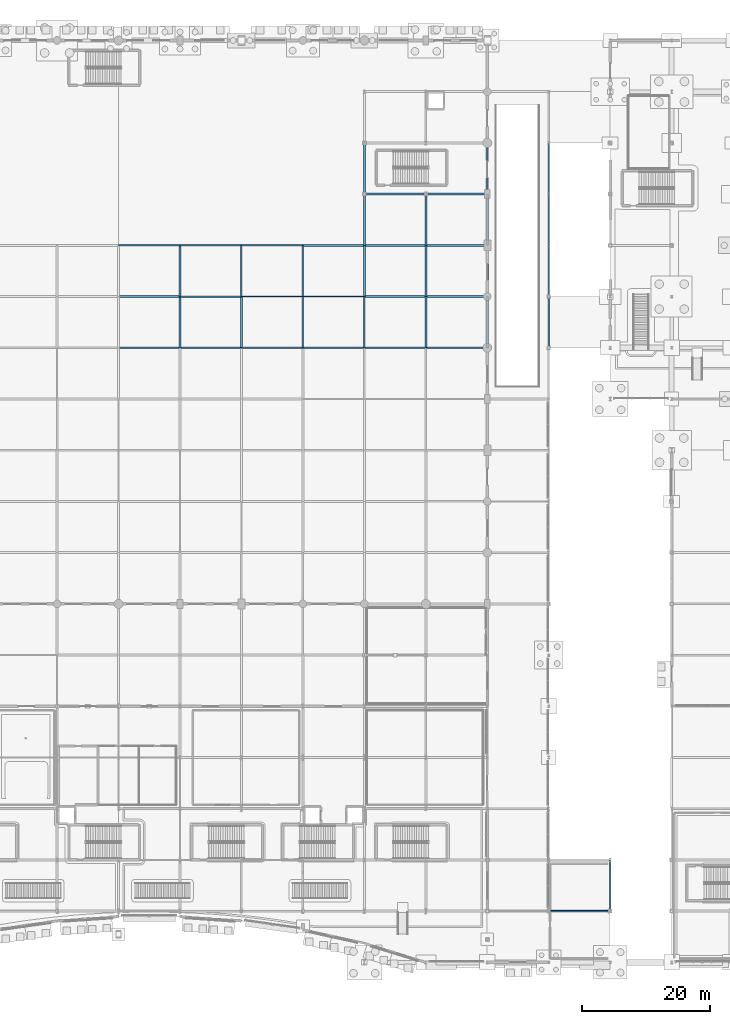
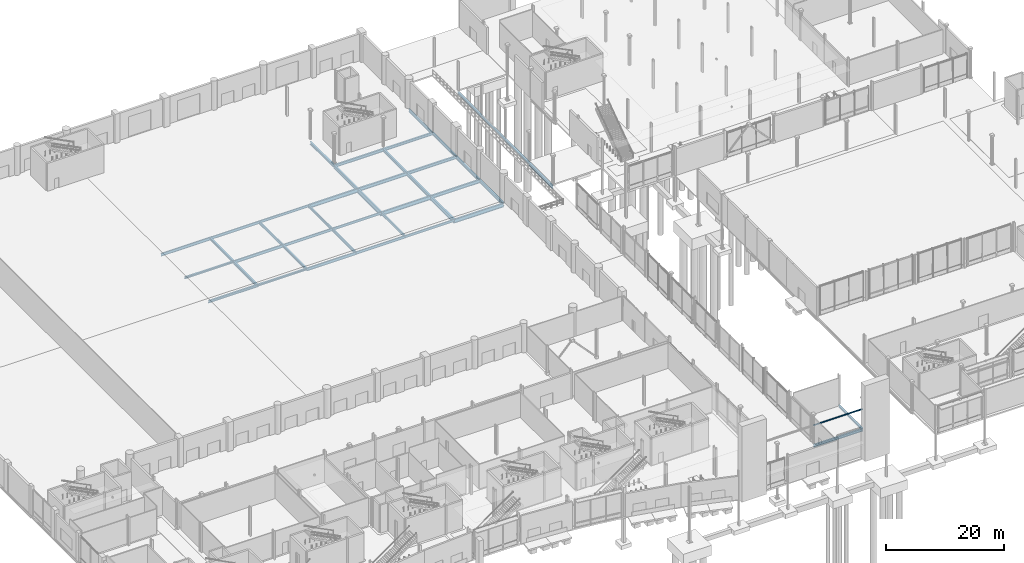
# One storey, part 52 of 124: 44 beams.
"""IFC4 building model written with IfcOpenShell, lengths in metres."""

from ifc_helpers import new_model, si_unit, direction, frame, origin, origin_2d, place, context, subcontext, project, spatial, hollow_rectangle, i_section, extrude, material, material_profile, profile_set, type_object, element, save


model = new_model("IFC4")

# Units and contexts
model_context = context("Model", 3, precision=1e-05, world=origin(), true_north=direction((0.0, 1.0)))
body_context = subcontext(model_context, "Body", "Model", "MODEL_VIEW")
ifc_project = project(units=[si_unit("LENGTHUNIT", "METRE"), si_unit("AREAUNIT", "SQUARE_METRE"), si_unit("VOLUMEUNIT", "CUBIC_METRE"), si_unit("PLANEANGLEUNIT", "RADIAN"), si_unit("MASSUNIT", "GRAM", prefix="KILO")], contexts=[model_context])

# Site, building, storey
site_placement = place(None, origin())
site = spatial("IfcSite", under=ifc_project, at=site_placement, CompositionType="ELEMENT")
building_placement = place(site_placement, origin())
building = spatial("IfcBuilding", under=site, at=building_placement, Name="Danafjord Basin Convention Centre", CompositionType="ELEMENT")
storey_placement = place(building_placement, origin())
storey = spatial("IfcBuildingStorey", under=building, at=storey_placement, Name="L00", CompositionType="ELEMENT", Elevation=0.0)

# Beams
ifc_material = material(Name="Steel S355", Category="steel")
ifc_material_profile_1 = material_profile(ifc_material, i_section(OverallWidth=0.300048828125, OverallDepth=0.389892578125, WebThickness=0.010986328125, FlangeThickness=0.01904296875, FilletRadius=0.027099609375, at=origin_2d()), Name="HEA 400")
ifc_profile_set_1 = profile_set([ifc_material_profile_1], Name="Steel S355")
beam_type_1 = type_object("IfcBeamType", Name="BEAM-BM-HEA400", PredefinedType="BEAM", material=ifc_profile_set_1)
beam_1_placement = place(storey_placement, frame((57.60009765625, 104.0, -0.614990234375), z_axis=(1.0, 0.0, 0.0), x_axis=(0.0, 1.0, 0.0)))
element("IfcBeam", 1, at=beam_1_placement, inside=storey, type_object=beam_type_1, Name="L00 girder BM-HEA400", PredefinedType="BEAM", context=body_context, shape_type="SweptSolid", body=[
    extrude(i_section(OverallWidth=0.300048828125, OverallDepth=0.389892578125, WebThickness=0.010986328125, FlangeThickness=0.01904296875, FilletRadius=0.027099609375, at=origin_2d()), origin(), (0.0, 0.0, 1.0), 9.599853515625),
])
beam_2_placement = place(storey_placement, frame((67.199951171875, 96.0, -0.64501953125), z_axis=(1.0, 0.0, 0.0), x_axis=(0.0, 1.0, 0.0)))
element("IfcBeam", 2, at=beam_2_placement, inside=storey, type_object=beam_type_1, Name="L00 girder BM-HEA400", PredefinedType="BEAM", context=body_context, shape_type="SweptSolid", body=[
    extrude(i_section(OverallWidth=0.300048828125, OverallDepth=0.389892578125, WebThickness=0.010986328125, FlangeThickness=0.01904296875, FilletRadius=0.027099609375, at=origin_2d()), origin(), (0.0, 0.0, 1.0), 9.60009765625),
])
ifc_material_profile_2 = material_profile(ifc_material, i_section(OverallWidth=0.300048828125, OverallDepth=0.489990234375, WebThickness=0.011962890625, FlangeThickness=0.02294921875, FilletRadius=0.027099609375, at=origin_2d()), Name="HEA 500")
ifc_profile_set_2 = profile_set([ifc_material_profile_2], Name="Steel S355")
beam_type_2 = type_object("IfcBeamType", Name="BEAM-BM-HEA500", PredefinedType="BEAM", material=ifc_profile_set_2)
beam_3_placement = place(storey_placement, frame((57.60009765625, 96.0, -0.695068359375), z_axis=(1.0, 0.0, 0.0), x_axis=(0.0, 1.0, 0.0)))
element("IfcBeam", 3, at=beam_3_placement, inside=storey, type_object=beam_type_2, Name="L00 girder BM-HEA500", PredefinedType="BEAM", context=body_context, shape_type="SweptSolid", body=[
    extrude(i_section(OverallWidth=0.300048828125, OverallDepth=0.489990234375, WebThickness=0.011962890625, FlangeThickness=0.02294921875, FilletRadius=0.027099609375, at=origin_2d()), origin(), (0.0, 0.0, 1.0), 9.599853515625),
])
ifc_material_profile_3 = material_profile(ifc_material, i_section(OverallWidth=0.300048828125, OverallDepth=0.5, WebThickness=0.014404296875, FlangeThickness=0.028076171875, FilletRadius=0.027099609375, at=origin_2d()), Name="HEB 500")
ifc_profile_set_3 = profile_set([ifc_material_profile_3], Name="Steel S355")
beam_type_3 = type_object("IfcBeamType", Name="BEAM-BM-HEB500", PredefinedType="BEAM", material=ifc_profile_set_3)
for number, where, z_axis, x_axis, name in (
    (4, (67.199951171875, 104.0, -0.669921875), (0.0, 1.0, 0.0), (-1.0, 0.0, 0.0), "L00 transverse girder BM-HEB500"),
    (5, (76.800048828125, 96.0, -0.669921875), (0.0, 1.0, 0.0), (-1.0, 0.0, 0.0), "L00 transverse girder BM-HEB500"),
    (6, (115.199951171875, 112.0, -0.669921875), (0.0, 1.0, 0.0), (-1.0, 0.0, 0.0), "L00 transverse girder BM-HEB500"),
):
    element("IfcBeam", number, at=place(storey_placement, frame(where, z_axis=z_axis, x_axis=x_axis)), inside=storey, type_object=beam_type_3, Name=name, PredefinedType="BEAM", context=body_context, shape_type="SweptSolid", body=[
        extrude(i_section(OverallWidth=0.300048828125, OverallDepth=0.5, WebThickness=0.014404296875, FlangeThickness=0.028076171875, FilletRadius=0.027099609375, at=origin_2d()), origin(), (0.0, 0.0, 1.0), 8.0),
    ])
ifc_material_profile_4 = material_profile(ifc_material, i_section(OverallWidth=0.300048828125, OverallDepth=0.550048828125, WebThickness=0.014892578125, FlangeThickness=0.029052734375, FilletRadius=0.027099609375, at=origin_2d()), Name="HEB 550")
ifc_profile_set_4 = profile_set([ifc_material_profile_4], Name="Steel S355")
beam_type_4 = type_object("IfcBeamType", Name="BEAM-BM-HEB550", PredefinedType="BEAM", material=ifc_profile_set_4)
for number, where, z_axis, x_axis, name in (
    (7, (105.60009765625, 120.0, -0.695068359375), (1.0, 0.0, 0.0), (0.0, 1.0, 0.0), "L00 girder BM-HEB550"),
    (8, (124.800048828125, 8.0, -0.56494140625), (1.0, 0.0, 0.0), (0.0, 1.0, 0.0), "L00 girder BM-HEB550"),
):
    element("IfcBeam", number, at=place(storey_placement, frame(where, z_axis=z_axis, x_axis=x_axis)), inside=storey, type_object=beam_type_4, Name=name, PredefinedType="BEAM", context=body_context, shape_type="SweptSolid", body=[
        extrude(i_section(OverallWidth=0.300048828125, OverallDepth=0.550048828125, WebThickness=0.014892578125, FlangeThickness=0.029052734375, FilletRadius=0.027099609375, at=origin_2d()), origin(), (0.0, 0.0, 1.0), 9.599853515625),
    ])
ifc_material_profile_5 = material_profile(ifc_material, i_section(OverallWidth=0.300048828125, OverallDepth=0.60009765625, WebThickness=0.015380859375, FlangeThickness=0.030029296875, FilletRadius=0.027099609375, at=origin_2d()), Name="HEB 600")
ifc_profile_set_5 = profile_set([ifc_material_profile_5], Name="Steel S355")
beam_type_5 = type_object("IfcBeamType", Name="BEAM-BM-HEB600", PredefinedType="BEAM", material=ifc_profile_set_5)
beam_4_placement = place(storey_placement, frame((96.0, 120.0, -0.719970703125), z_axis=(1.0, 0.0, 0.0), x_axis=(0.0, 1.0, 0.0)))
element("IfcBeam", 9, at=beam_4_placement, inside=storey, type_object=beam_type_5, Name="L00 girder BM-HEB600", PredefinedType="BEAM", context=body_context, shape_type="SweptSolid", body=[
    extrude(i_section(OverallWidth=0.300048828125, OverallDepth=0.60009765625, WebThickness=0.015380859375, FlangeThickness=0.030029296875, FilletRadius=0.027099609375, at=origin_2d()), origin(), (0.0, 0.0, 1.0), 9.60009765625),
])
beam_5_placement = place(storey_placement, frame((105.60009765625, 112.0, -0.719970703125), z_axis=(1.0, 0.0, 0.0), x_axis=(0.0, 1.0, 0.0)))
element("IfcBeam", 10, at=beam_5_placement, inside=storey, type_object=beam_type_5, Name="L00 girder BM-HEB600", PredefinedType="BEAM", context=body_context, shape_type="SweptSolid", body=[
    extrude(i_section(OverallWidth=0.300048828125, OverallDepth=0.60009765625, WebThickness=0.015380859375, FlangeThickness=0.030029296875, FilletRadius=0.027099609375, at=origin_2d()), origin(), (0.0, 0.0, 1.0), 9.599853515625),
])
for number, where, z_axis, x_axis, name in (
    (11, (67.199951171875, 96.0, -0.719970703125), (0.0, 1.0, 0.0), (-1.0, 0.0, 0.0), "L00 transverse girder BM-HEB600"),
    (12, (96.0, 120.0, -0.719970703125), (0.0, 1.0, 0.0), (-1.0, 0.0, 0.0), "L00 transverse girder BM-HEB600"),
    (13, (105.60009765625, 112.0, -0.719970703125), (0.0, 1.0, 0.0), (-1.0, 0.0, 0.0), "L00 transverse girder BM-HEB600"),
    (14, (115.199951171875, 104.0, -0.719970703125), (0.0, 1.0, 0.0), (-1.0, 0.0, 0.0), "L00 transverse girder BM-HEB600"),
    (15, (124.800048828125, 96.0, -0.590087890625), (0.0, 1.0, 0.0), (-1.0, 0.0, 0.0), "L00 transverse girder BM-HEB600"),
):
    element("IfcBeam", number, at=place(storey_placement, frame(where, z_axis=z_axis, x_axis=x_axis)), inside=storey, type_object=beam_type_5, Name=name, PredefinedType="BEAM", context=body_context, shape_type="SweptSolid", body=[
        extrude(i_section(OverallWidth=0.300048828125, OverallDepth=0.60009765625, WebThickness=0.015380859375, FlangeThickness=0.030029296875, FilletRadius=0.027099609375, at=origin_2d()), origin(), (0.0, 0.0, 1.0), 8.0),
    ])
ifc_material_profile_6 = material_profile(ifc_material, i_section(OverallWidth=0.300048828125, OverallDepth=0.699951171875, WebThickness=0.01708984375, FlangeThickness=0.031982421875, FilletRadius=0.027099609375, at=origin_2d()), Name="HEB 700")
ifc_profile_set_6 = profile_set([ifc_material_profile_6], Name="Steel S355")
beam_type_6 = type_object("IfcBeamType", Name="BEAM-BM-HEB700", PredefinedType="BEAM", material=ifc_profile_set_6)
beam_6_placement = place(storey_placement, frame((96.0, 112.0, -0.77001953125), z_axis=(1.0, 0.0, 0.0), x_axis=(0.0, 1.0, 0.0)))
element("IfcBeam", 16, at=beam_6_placement, inside=storey, type_object=beam_type_6, Name="L00 girder BM-HEB700", PredefinedType="BEAM", context=body_context, shape_type="SweptSolid", body=[
    extrude(i_section(OverallWidth=0.300048828125, OverallDepth=0.699951171875, WebThickness=0.01708984375, FlangeThickness=0.031982421875, FilletRadius=0.027099609375, at=origin_2d()), origin(), (0.0, 0.0, 1.0), 9.60009765625),
])
beam_7_placement = place(storey_placement, frame((105.60009765625, 104.0, -0.77001953125), z_axis=(1.0, 0.0, 0.0), x_axis=(0.0, 1.0, 0.0)))
element("IfcBeam", 17, at=beam_7_placement, inside=storey, type_object=beam_type_6, Name="L00 girder BM-HEB700", PredefinedType="BEAM", context=body_context, shape_type="SweptSolid", body=[
    extrude(i_section(OverallWidth=0.300048828125, OverallDepth=0.699951171875, WebThickness=0.01708984375, FlangeThickness=0.031982421875, FilletRadius=0.027099609375, at=origin_2d()), origin(), (0.0, 0.0, 1.0), 9.599853515625),
])
for number, where, z_axis, x_axis, name in (
    (18, (96.0, 112.0, -0.77001953125), (0.0, 1.0, 0.0), (-1.0, 0.0, 0.0), "L00 transverse girder BM-HEB700"),
    (19, (105.60009765625, 104.0, -0.77001953125), (0.0, 1.0, 0.0), (-1.0, 0.0, 0.0), "L00 transverse girder BM-HEB700"),
    (20, (115.199951171875, 96.0, -0.77001953125), (0.0, 1.0, 0.0), (-1.0, 0.0, 0.0), "L00 transverse girder BM-HEB700"),
):
    element("IfcBeam", number, at=place(storey_placement, frame(where, z_axis=z_axis, x_axis=x_axis)), inside=storey, type_object=beam_type_6, Name=name, PredefinedType="BEAM", context=body_context, shape_type="SweptSolid", body=[
        extrude(i_section(OverallWidth=0.300048828125, OverallDepth=0.699951171875, WebThickness=0.01708984375, FlangeThickness=0.031982421875, FilletRadius=0.027099609375, at=origin_2d()), origin(), (0.0, 0.0, 1.0), 8.0),
    ])
ifc_material_profile_7 = material_profile(ifc_material, i_section(OverallWidth=0.300048828125, OverallDepth=0.800048828125, WebThickness=0.017578125, FlangeThickness=0.032958984375, FilletRadius=0.030029296875, at=origin_2d()), Name="HEB 800")
ifc_profile_set_7 = profile_set([ifc_material_profile_7], Name="Steel S355")
beam_type_7 = type_object("IfcBeamType", Name="BEAM-BM-HEB800", PredefinedType="BEAM", material=ifc_profile_set_7)
for number, where, z_axis, x_axis, name in (
    (21, (86.39990234375, 112.0, -0.820068359375), (1.0, 0.0, 0.0), (0.0, 1.0, 0.0), "L00 girder BM-HEB800"),
    (22, (96.0, 104.0, -0.820068359375), (1.0, 0.0, 0.0), (0.0, 1.0, 0.0), "L00 girder BM-HEB800"),
):
    element("IfcBeam", number, at=place(storey_placement, frame(where, z_axis=z_axis, x_axis=x_axis)), inside=storey, type_object=beam_type_7, Name=name, PredefinedType="BEAM", context=body_context, shape_type="SweptSolid", body=[
        extrude(i_section(OverallWidth=0.300048828125, OverallDepth=0.800048828125, WebThickness=0.017578125, FlangeThickness=0.032958984375, FilletRadius=0.030029296875, at=origin_2d()), origin(), (0.0, 0.0, 1.0), 9.60009765625),
    ])
beam_8_placement = place(storey_placement, frame((105.60009765625, 96.0, -0.85009765625), z_axis=(1.0, 0.0, 0.0), x_axis=(0.0, 1.0, 0.0)))
element("IfcBeam", 23, at=beam_8_placement, inside=storey, type_object=beam_type_7, Name="L00 girder BM-HEB800", PredefinedType="BEAM", context=body_context, shape_type="SweptSolid", body=[
    extrude(i_section(OverallWidth=0.300048828125, OverallDepth=0.800048828125, WebThickness=0.017578125, FlangeThickness=0.032958984375, FilletRadius=0.030029296875, at=origin_2d()), origin(), (0.0, 0.0, 1.0), 9.599853515625),
])
ifc_material_profile_8 = material_profile(ifc_material, i_section(OverallWidth=0.300048828125, OverallDepth=0.89990234375, WebThickness=0.0185546875, FlangeThickness=0.034912109375, FilletRadius=0.030029296875, at=origin_2d()), Name="HEB 900")
ifc_profile_set_8 = profile_set([ifc_material_profile_8], Name="Steel S355")
beam_type_8 = type_object("IfcBeamType", Name="BEAM-BM-HEB900", PredefinedType="BEAM", material=ifc_profile_set_8)
for number, where, z_axis, x_axis, name in (
    (24, (96.0, 104.0, -0.8701171875), (0.0, 1.0, 0.0), (-1.0, 0.0, 0.0), "L00 transverse girder BM-HEB900"),
    (25, (105.60009765625, 96.0, -0.8701171875), (0.0, 1.0, 0.0), (-1.0, 0.0, 0.0), "L00 transverse girder BM-HEB900"),
):
    element("IfcBeam", number, at=place(storey_placement, frame(where, z_axis=z_axis, x_axis=x_axis)), inside=storey, type_object=beam_type_8, Name=name, PredefinedType="BEAM", context=body_context, shape_type="SweptSolid", body=[
        extrude(i_section(OverallWidth=0.300048828125, OverallDepth=0.89990234375, WebThickness=0.0185546875, FlangeThickness=0.034912109375, FilletRadius=0.030029296875, at=origin_2d()), origin(), (0.0, 0.0, 1.0), 8.0),
    ])
ifc_material_profile_9 = material_profile(ifc_material, i_section(OverallWidth=0.199951171875, OverallDepth=0.5, WebThickness=0.01025390625, FlangeThickness=0.01611328125, FilletRadius=0.02099609375, at=origin_2d()), Name="IPE 500")
ifc_profile_set_9 = profile_set([ifc_material_profile_9], Name="Steel S355")
beam_type_9 = type_object("IfcBeamType", Name="BEAM-BM-IPE500", PredefinedType="BEAM", material=ifc_profile_set_9)
beam_9_placement = place(storey_placement, frame((76.800048828125, 112.0, -0.669921875), z_axis=(1.0, 0.0, 0.0), x_axis=(0.0, 1.0, 0.0)))
element("IfcBeam", 26, at=beam_9_placement, inside=storey, type_object=beam_type_9, Name="L00 girder BM-IPE500", PredefinedType="BEAM", context=body_context, shape_type="SweptSolid", body=[
    extrude(i_section(OverallWidth=0.199951171875, OverallDepth=0.5, WebThickness=0.01025390625, FlangeThickness=0.01611328125, FilletRadius=0.02099609375, at=origin_2d()), origin(), (0.0, 0.0, 1.0), 9.599853515625),
])
for number, where, z_axis, x_axis, name in (
    (27, (86.39990234375, 104.0, -0.669921875), (1.0, 0.0, 0.0), (0.0, 1.0, 0.0), "L00 girder BM-IPE500"),
    (28, (96.0, 96.0, -0.699951171875), (1.0, 0.0, 0.0), (0.0, 1.0, 0.0), "L00 girder BM-IPE500"),
):
    element("IfcBeam", number, at=place(storey_placement, frame(where, z_axis=z_axis, x_axis=x_axis)), inside=storey, type_object=beam_type_9, Name=name, PredefinedType="BEAM", context=body_context, shape_type="SweptSolid", body=[
        extrude(i_section(OverallWidth=0.199951171875, OverallDepth=0.5, WebThickness=0.01025390625, FlangeThickness=0.01611328125, FilletRadius=0.02099609375, at=origin_2d()), origin(), (0.0, 0.0, 1.0), 9.60009765625),
    ])
ifc_material_profile_10 = material_profile(ifc_material, i_section(OverallWidth=0.2099609375, OverallDepth=0.550048828125, WebThickness=0.010986328125, FlangeThickness=0.01708984375, FilletRadius=0.02392578125, at=origin_2d()), Name="IPE 550")
ifc_profile_set_10 = profile_set([ifc_material_profile_10], Name="Steel S355")
beam_type_10 = type_object("IfcBeamType", Name="BEAM-BM-IPE550", PredefinedType="BEAM", material=ifc_profile_set_10)
beam_10_placement = place(storey_placement, frame((67.199951171875, 112.0, -0.695068359375), z_axis=(1.0, 0.0, 0.0), x_axis=(0.0, 1.0, 0.0)))
element("IfcBeam", 29, at=beam_10_placement, inside=storey, type_object=beam_type_10, Name="L00 girder BM-IPE550", PredefinedType="BEAM", context=body_context, shape_type="SweptSolid", body=[
    extrude(i_section(OverallWidth=0.2099609375, OverallDepth=0.550048828125, WebThickness=0.010986328125, FlangeThickness=0.01708984375, FilletRadius=0.02392578125, at=origin_2d()), origin(), (0.0, 0.0, 1.0), 9.60009765625),
])
beam_11_placement = place(storey_placement, frame((76.800048828125, 104.0, -0.695068359375), z_axis=(1.0, 0.0, 0.0), x_axis=(0.0, 1.0, 0.0)))
element("IfcBeam", 30, at=beam_11_placement, inside=storey, type_object=beam_type_10, Name="L00 girder BM-IPE550", PredefinedType="BEAM", context=body_context, shape_type="SweptSolid", body=[
    extrude(i_section(OverallWidth=0.2099609375, OverallDepth=0.550048828125, WebThickness=0.010986328125, FlangeThickness=0.01708984375, FilletRadius=0.02392578125, at=origin_2d()), origin(), (0.0, 0.0, 1.0), 9.599853515625),
])
beam_12_placement = place(storey_placement, frame((86.39990234375, 96.0, -0.72509765625), z_axis=(1.0, 0.0, 0.0), x_axis=(0.0, 1.0, 0.0)))
element("IfcBeam", 31, at=beam_12_placement, inside=storey, type_object=beam_type_10, Name="L00 girder BM-IPE550", PredefinedType="BEAM", context=body_context, shape_type="SweptSolid", body=[
    extrude(i_section(OverallWidth=0.2099609375, OverallDepth=0.550048828125, WebThickness=0.010986328125, FlangeThickness=0.01708984375, FilletRadius=0.02392578125, at=origin_2d()), origin(), (0.0, 0.0, 1.0), 9.60009765625),
])
for number, where, z_axis, x_axis, name in (
    (32, (86.39990234375, 104.0, -0.695068359375), (0.0, 1.0, 0.0), (-1.0, 0.0, 0.0), "L00 transverse girder BM-IPE550"),
    (33, (96.0, 96.0, -0.695068359375), (0.0, 1.0, 0.0), (-1.0, 0.0, 0.0), "L00 transverse girder BM-IPE550"),
):
    element("IfcBeam", number, at=place(storey_placement, frame(where, z_axis=z_axis, x_axis=x_axis)), inside=storey, type_object=beam_type_10, Name=name, PredefinedType="BEAM", context=body_context, shape_type="SweptSolid", body=[
        extrude(i_section(OverallWidth=0.2099609375, OverallDepth=0.550048828125, WebThickness=0.010986328125, FlangeThickness=0.01708984375, FilletRadius=0.02392578125, at=origin_2d()), origin(), (0.0, 0.0, 1.0), 8.0),
    ])
ifc_material_profile_11 = material_profile(ifc_material, i_section(OverallWidth=0.219970703125, OverallDepth=0.60009765625, WebThickness=0.011962890625, FlangeThickness=0.01904296875, FilletRadius=0.02392578125, at=origin_2d()), Name="IPE 600")
ifc_profile_set_11 = profile_set([ifc_material_profile_11], Name="Steel S355")
beam_type_11 = type_object("IfcBeamType", Name="BEAM-BM-IPE600", PredefinedType="BEAM", material=ifc_profile_set_11)
beam_13_placement = place(storey_placement, frame((57.60009765625, 112.0, -0.719970703125), z_axis=(1.0, 0.0, 0.0), x_axis=(0.0, 1.0, 0.0)))
element("IfcBeam", 34, at=beam_13_placement, inside=storey, type_object=beam_type_11, Name="L00 girder BM-IPE600", PredefinedType="BEAM", context=body_context, shape_type="SweptSolid", body=[
    extrude(i_section(OverallWidth=0.219970703125, OverallDepth=0.60009765625, WebThickness=0.011962890625, FlangeThickness=0.01904296875, FilletRadius=0.02392578125, at=origin_2d()), origin(), (0.0, 0.0, 1.0), 9.599853515625),
])
beam_14_placement = place(storey_placement, frame((67.199951171875, 104.0, -0.719970703125), z_axis=(1.0, 0.0, 0.0), x_axis=(0.0, 1.0, 0.0)))
element("IfcBeam", 35, at=beam_14_placement, inside=storey, type_object=beam_type_11, Name="L00 girder BM-IPE600", PredefinedType="BEAM", context=body_context, shape_type="SweptSolid", body=[
    extrude(i_section(OverallWidth=0.219970703125, OverallDepth=0.60009765625, WebThickness=0.011962890625, FlangeThickness=0.01904296875, FilletRadius=0.02392578125, at=origin_2d()), origin(), (0.0, 0.0, 1.0), 9.60009765625),
])
beam_15_placement = place(storey_placement, frame((76.800048828125, 96.0, -0.75), z_axis=(1.0, 0.0, 0.0), x_axis=(0.0, 1.0, 0.0)))
element("IfcBeam", 36, at=beam_15_placement, inside=storey, type_object=beam_type_11, Name="L00 girder BM-IPE600", PredefinedType="BEAM", context=body_context, shape_type="SweptSolid", body=[
    extrude(i_section(OverallWidth=0.219970703125, OverallDepth=0.60009765625, WebThickness=0.011962890625, FlangeThickness=0.01904296875, FilletRadius=0.02392578125, at=origin_2d()), origin(), (0.0, 0.0, 1.0), 9.599853515625),
])
for number, where, z_axis, x_axis, name in (
    (37, (76.800048828125, 104.0, -0.719970703125), (0.0, 1.0, 0.0), (-1.0, 0.0, 0.0), "L00 transverse girder BM-IPE600"),
    (38, (86.39990234375, 96.0, -0.719970703125), (0.0, 1.0, 0.0), (-1.0, 0.0, 0.0), "L00 transverse girder BM-IPE600"),
    (39, (115.199951171875, 120.0, -0.719970703125), (0.0, 1.0, 0.0), (-1.0, 0.0, 0.0), "L00 transverse girder BM-IPE600"),
):
    element("IfcBeam", number, at=place(storey_placement, frame(where, z_axis=z_axis, x_axis=x_axis)), inside=storey, type_object=beam_type_11, Name=name, PredefinedType="BEAM", context=body_context, shape_type="SweptSolid", body=[
        extrude(i_section(OverallWidth=0.219970703125, OverallDepth=0.60009765625, WebThickness=0.011962890625, FlangeThickness=0.01904296875, FilletRadius=0.02392578125, at=origin_2d()), origin(), (0.0, 0.0, 1.0), 8.0),
    ])
ifc_material_profile_12 = material_profile(ifc_material, hollow_rectangle(XDim=0.14990234375, YDim=0.25, WallThickness=0.010009765625, InnerFilletRadius=0.014892578125, OuterFilletRadius=0.02490234375, at=origin_2d()), Name="RHS 250x150x10.0")
ifc_profile_set_12 = profile_set([ifc_material_profile_12], Name="Steel S355")
beam_type_12 = type_object("IfcBeamType", Name="BEAM-LN-RHS250", PredefinedType="LINTEL", material=ifc_profile_set_12)
beam_16_placement = place(storey_placement, frame((124.800048828125, 8.0, 3.675048828125), z_axis=(1.0, 0.0, 0.0), x_axis=(0.0, 1.0, 0.0)))
element("IfcBeam", 40, at=beam_16_placement, inside=storey, type_object=beam_type_12, Name="L00 structural portal lintel LN-RHS250", PredefinedType="LINTEL", context=body_context, shape_type="SweptSolid", body=[
    extrude(hollow_rectangle(XDim=0.14990234375, YDim=0.25, WallThickness=0.010009765625, InnerFilletRadius=0.014892578125, OuterFilletRadius=0.02490234375, at=origin_2d()), origin(), (0.0, 0.0, 1.0), 9.599853515625),
])
ifc_material_profile_13 = material_profile(ifc_material, i_section(OverallWidth=0.300048828125, OverallDepth=0.39990234375, WebThickness=0.013427734375, FlangeThickness=0.02392578125, FilletRadius=0.027099609375, at=origin_2d()), Name="HEB 400")
ifc_profile_set_13 = profile_set([ifc_material_profile_13], Name="Steel S355")
beam_type_13 = type_object("IfcBeamType", Name="BEAM-SP-HEB400", PredefinedType="SPANDREL", material=ifc_profile_set_13)
for number, where, z_axis, x_axis, name in (
    (41, (124.800048828125, 104.0, -0.489990234375), (0.0, 1.0, 0.0), (-1.0, 0.0, 0.0), "L00 transverse girder SP-HEB400"),
    (42, (124.800048828125, 120.0, -0.489990234375), (0.0, 1.0, 0.0), (-1.0, 0.0, 0.0), "L00 transverse girder SP-HEB400"),
):
    element("IfcBeam", number, at=place(storey_placement, frame(where, z_axis=z_axis, x_axis=x_axis)), inside=storey, type_object=beam_type_13, Name=name, PredefinedType="SPANDREL", context=body_context, shape_type="SweptSolid", body=[
        extrude(i_section(OverallWidth=0.300048828125, OverallDepth=0.39990234375, WebThickness=0.013427734375, FlangeThickness=0.02392578125, FilletRadius=0.027099609375, at=origin_2d()), origin(), (0.0, 0.0, 1.0), 8.0),
    ])
ifc_material_profile_14 = material_profile(ifc_material, i_section(OverallWidth=0.300048828125, OverallDepth=0.449951171875, WebThickness=0.013916015625, FlangeThickness=0.02587890625, FilletRadius=0.027099609375, at=origin_2d()), Name="HEB 450")
ifc_profile_set_14 = profile_set([ifc_material_profile_14], Name="Steel S355")
beam_type_14 = type_object("IfcBeamType", Name="BEAM-SP-HEB450", PredefinedType="SPANDREL", material=ifc_profile_set_14)
beam_17_placement = place(storey_placement, frame((134.39990234375, 8.0, -0.514892578125), z_axis=(0.0, 1.0, 0.0), x_axis=(-1.0, 0.0, 0.0)))
element("IfcBeam", 43, at=beam_17_placement, inside=storey, type_object=beam_type_14, Name="L00 transverse girder SP-HEB450", PredefinedType="SPANDREL", context=body_context, shape_type="SweptSolid", body=[
    extrude(i_section(OverallWidth=0.300048828125, OverallDepth=0.449951171875, WebThickness=0.013916015625, FlangeThickness=0.02587890625, FilletRadius=0.027099609375, at=origin_2d()), origin(), (0.0, 0.0, 1.0), 8.0),
])
ifc_material_profile_15 = material_profile(ifc_material, i_section(OverallWidth=0.18994140625, OverallDepth=0.449951171875, WebThickness=0.009521484375, FlangeThickness=0.0146484375, FilletRadius=0.02099609375, at=origin_2d()), Name="IPE 450")
ifc_profile_set_15 = profile_set([ifc_material_profile_15], Name="Steel S355")
beam_type_15 = type_object("IfcBeamType", Name="BEAM-SP-IPE450", PredefinedType="SPANDREL", material=ifc_profile_set_15)
beam_18_placement = place(storey_placement, frame((124.800048828125, 112.0, -0.514892578125), z_axis=(0.0, 1.0, 0.0), x_axis=(-1.0, 0.0, 0.0)))
element("IfcBeam", 44, at=beam_18_placement, inside=storey, type_object=beam_type_15, Name="L00 transverse girder SP-IPE450", PredefinedType="SPANDREL", context=body_context, shape_type="SweptSolid", body=[
    extrude(i_section(OverallWidth=0.18994140625, OverallDepth=0.449951171875, WebThickness=0.009521484375, FlangeThickness=0.0146484375, FilletRadius=0.02099609375, at=origin_2d()), origin(), (0.0, 0.0, 1.0), 8.0),
])

save(model, "model.ifc")
